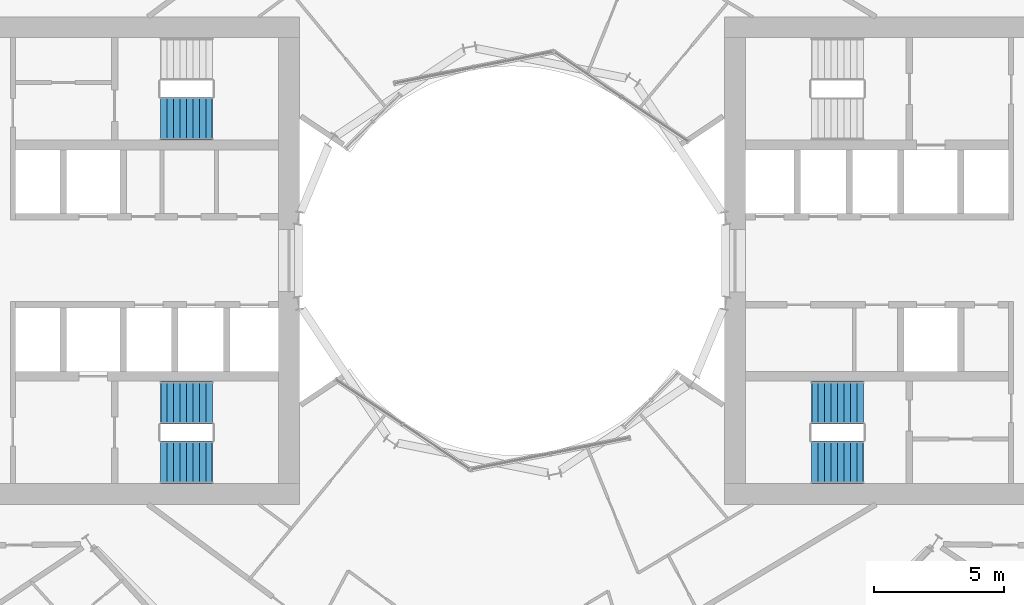
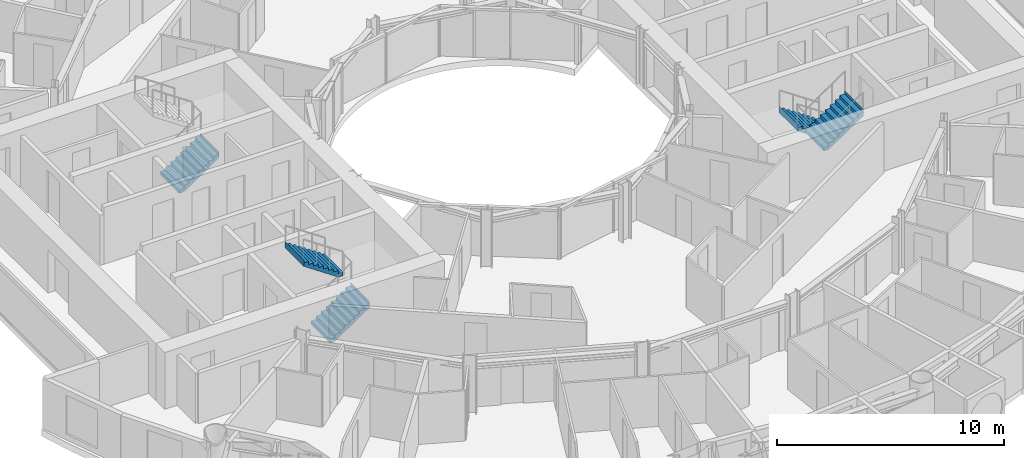
# One storey, part 23 of 26: 5 stair flights, 3 elements without a shape of their own.
"""IFC4 building model written with IfcOpenShell, lengths in metres."""

from ifc_helpers import new_model, si_unit, direction, frame, origin, place, context, subcontext, project, spatial, triangles, material, type_object, element, aggregate, save


model = new_model("IFC4")

# Units and contexts
model_context = context("Model", 3, precision=1e-05, world=origin(), true_north=direction((0.0, 1.0)))
body_context = subcontext(model_context, "Body", "Model", "MODEL_VIEW")
ifc_project = project(units=[si_unit("LENGTHUNIT", "METRE"), si_unit("AREAUNIT", "SQUARE_METRE"), si_unit("VOLUMEUNIT", "CUBIC_METRE"), si_unit("PLANEANGLEUNIT", "RADIAN"), si_unit("MASSUNIT", "GRAM", prefix="KILO")], contexts=[model_context])

# Site, building, storey
site_placement = place(None, origin())
site = spatial("IfcSite", under=ifc_project, at=site_placement, CompositionType="ELEMENT")
building_placement = place(site_placement, origin())
building = spatial("IfcBuilding", under=site, at=building_placement, Name="Maasbend Ring Residences", CompositionType="ELEMENT")
storey_placement = place(building_placement, frame((0.0, 0.0, 47.199951171875)))
storey = spatial("IfcBuildingStorey", under=building, at=storey_placement, Name="L13", CompositionType="ELEMENT", Elevation=47.199951171875)

# Stair, stair flights
ifc_material_1 = material(Name="Concrete C40/50", Category="concrete")
stair_type = type_object("IfcStairType", Name="CORE STAIR 18 RISERS", PredefinedType="HALF_TURN_STAIR", material=ifc_material_1)
stair_1_placement = place(storey_placement, origin())
stair_1 = element("IfcStair", 1, at=stair_1_placement, inside=storey, type_object=stair_type, Name="L13 Exit stair ST-E2", PredefinedType="HALF_TURN_STAIR")
ifc_material_2 = material(Name="Concrete C40/50", Category="concrete")
stair_flight_type = type_object("IfcStairFlightType", Name="CORE STAIR FLIGHT 1650", PredefinedType="STRAIGHT", material=ifc_material_2)
stair_flight_1_placement = place(storey_placement, frame((13.550048828125, -5.47509765625, 0.0), z_axis=(0.0, 0.0, 1.0), x_axis=(-1.0, 0.0, 0.0)))
stair_flight_1 = element("IfcStairFlight", 2, at=stair_flight_1_placement, type_object=stair_flight_type, Name="ST-E2 flight 1", NumberOfRisers=9, NumberOfTreads=8, PredefinedType="STRAIGHT", RiserHeight=0.169444444, TreadLength=0.25, context=body_context, shape_type="Tessellation", body=[
    triangles([(0.24072265625, 0.824951171875, -0.02001953125), (2.0029296875, 0.824951171875, 1.174560546875), (2.0029296875, 0.824951171875, 1.52490234375), (1.989990234375, 0.824951171875, 1.35546875), (1.75, 0.824951171875, 1.35546875), (1.75, 0.824951171875, 1.18603515625), (1.5, 0.824951171875, 1.18603515625), (1.5, 0.824951171875, 1.0166015625), (1.25, 0.824951171875, 1.0166015625), (1.25, 0.824951171875, 0.84716796875), (1.0, 0.824951171875, 0.84716796875), (1.0, 0.824951171875, 0.677734375), (0.75, 0.824951171875, 0.677734375), (0.75, 0.824951171875, 0.50830078125), (0.5, 0.824951171875, 0.50830078125), (0.5, 0.824951171875, 0.3388671875), (0.25, 0.824951171875, 0.3388671875), (0.25, 0.824951171875, 0.16943359375), (0.0, 0.824951171875, 0.16943359375), (0.0, 0.824951171875, 0.0), (-0.0029296875, 0.824951171875, 0.0), (-0.0029296875, 0.824951171875, -0.02001953125), (0.24072265625, 0.27490234375, -0.02001953125), (2.0029296875, 0.27490234375, 1.174560546875), (2.0029296875, 0.27490234375, 1.52490234375), (1.989990234375, 0.27490234375, 1.35546875), (1.75, 0.27490234375, 1.35546875), (1.75, 0.27490234375, 1.18603515625), (1.5, 0.27490234375, 1.18603515625), (1.5, 0.27490234375, 1.0166015625), (1.25, 0.27490234375, 1.0166015625), (1.25, 0.27490234375, 0.84716796875), (1.0, 0.27490234375, 0.84716796875), (1.0, 0.27490234375, 0.677734375), (0.75, 0.27490234375, 0.677734375), (0.75, 0.27490234375, 0.50830078125), (0.5, 0.27490234375, 0.50830078125), (0.5, 0.27490234375, 0.3388671875), (0.25, 0.27490234375, 0.3388671875), (0.25, 0.27490234375, 0.16943359375), (0.0, 0.27490234375, 0.16943359375), (0.0, 0.27490234375, 0.0), (-0.0029296875, 0.27490234375, 0.0), (-0.0029296875, 0.27490234375, -0.02001953125), (0.24072265625, -0.27490234375, -0.02001953125), (2.0029296875, -0.27490234375, 1.174560546875), (2.0029296875, -0.27490234375, 1.52490234375), (1.989990234375, -0.27490234375, 1.35546875), (1.75, -0.27490234375, 1.35546875), (1.75, -0.27490234375, 1.18603515625), (1.5, -0.27490234375, 1.18603515625), (1.5, -0.27490234375, 1.0166015625), (1.25, -0.27490234375, 1.0166015625), (1.25, -0.27490234375, 0.84716796875), (1.0, -0.27490234375, 0.84716796875), (1.0, -0.27490234375, 0.677734375), (0.75, -0.27490234375, 0.677734375), (0.75, -0.27490234375, 0.50830078125), (0.5, -0.27490234375, 0.50830078125), (0.5, -0.27490234375, 0.3388671875), (0.25, -0.27490234375, 0.3388671875), (0.25, -0.27490234375, 0.16943359375), (0.0, -0.27490234375, 0.16943359375), (0.0, -0.27490234375, 0.0), (-0.0029296875, -0.27490234375, 0.0), (-0.0029296875, -0.27490234375, -0.02001953125), (0.24072265625, -0.824951171875, -0.02001953125), (2.0029296875, -0.824951171875, 1.174560546875), (2.0029296875, -0.824951171875, 1.52490234375), (1.989990234375, -0.824951171875, 1.35546875), (1.75, -0.824951171875, 1.35546875), (1.75, -0.824951171875, 1.18603515625), (1.5, -0.824951171875, 1.18603515625), (1.5, -0.824951171875, 1.0166015625), (1.25, -0.824951171875, 1.0166015625), (1.25, -0.824951171875, 0.84716796875), (1.0, -0.824951171875, 0.84716796875), (1.0, -0.824951171875, 0.677734375), (0.75, -0.824951171875, 0.677734375), (0.75, -0.824951171875, 0.50830078125), (0.5, -0.824951171875, 0.50830078125), (0.5, -0.824951171875, 0.3388671875), (0.25, -0.824951171875, 0.3388671875), (0.25, -0.824951171875, 0.16943359375), (0.0, -0.824951171875, 0.16943359375), (0.0, -0.824951171875, 0.0), (-0.0029296875, -0.824951171875, 0.0), (-0.0029296875, -0.824951171875, -0.02001953125)], [[1, 2, 24], [1, 24, 23], [23, 24, 46], [23, 46, 45], [45, 46, 68], [45, 68, 67], [2, 3, 25], [2, 25, 24], [24, 25, 47], [24, 47, 46], [46, 47, 69], [46, 69, 68], [3, 4, 26], [3, 26, 25], [25, 26, 48], [25, 48, 47], [47, 48, 70], [47, 70, 69], [4, 5, 27], [4, 27, 26], [26, 27, 49], [26, 49, 48], [48, 49, 71], [48, 71, 70], [5, 6, 28], [5, 28, 27], [27, 28, 50], [27, 50, 49], [49, 50, 72], [49, 72, 71], [6, 7, 29], [6, 29, 28], [28, 29, 51], [28, 51, 50], [50, 51, 73], [50, 73, 72], [7, 8, 30], [7, 30, 29], [29, 30, 52], [29, 52, 51], [51, 52, 74], [51, 74, 73], [8, 9, 31], [8, 31, 30], [30, 31, 53], [30, 53, 52], [52, 53, 75], [52, 75, 74], [9, 10, 32], [9, 32, 31], [31, 32, 54], [31, 54, 53], [53, 54, 76], [53, 76, 75], [10, 11, 33], [10, 33, 32], [32, 33, 55], [32, 55, 54], [54, 55, 77], [54, 77, 76], [11, 12, 34], [11, 34, 33], [33, 34, 56], [33, 56, 55], [55, 56, 78], [55, 78, 77], [12, 13, 35], [12, 35, 34], [34, 35, 57], [34, 57, 56], [56, 57, 79], [56, 79, 78], [13, 14, 36], [13, 36, 35], [35, 36, 58], [35, 58, 57], [57, 58, 80], [57, 80, 79], [14, 15, 37], [14, 37, 36], [36, 37, 59], [36, 59, 58], [58, 59, 81], [58, 81, 80], [15, 16, 38], [15, 38, 37], [37, 38, 60], [37, 60, 59], [59, 60, 82], [59, 82, 81], [16, 17, 39], [16, 39, 38], [38, 39, 61], [38, 61, 60], [60, 61, 83], [60, 83, 82], [17, 18, 40], [17, 40, 39], [39, 40, 62], [39, 62, 61], [61, 62, 84], [61, 84, 83], [18, 19, 41], [18, 41, 40], [40, 41, 63], [40, 63, 62], [62, 63, 85], [62, 85, 84], [19, 20, 42], [19, 42, 41], [41, 42, 64], [41, 64, 63], [63, 64, 86], [63, 86, 85], [20, 21, 43], [20, 43, 42], [42, 43, 65], [42, 65, 64], [64, 65, 87], [64, 87, 86], [21, 22, 44], [21, 44, 43], [43, 44, 66], [43, 66, 65], [65, 66, 88], [65, 88, 87], [22, 1, 23], [22, 23, 44], [44, 23, 45], [44, 45, 66], [66, 45, 67], [66, 67, 88], [22, 2, 1], [2, 4, 3], [2, 5, 4], [2, 6, 5], [22, 6, 2], [6, 8, 7], [22, 8, 6], [8, 10, 9], [22, 10, 8], [10, 12, 11], [22, 12, 10], [12, 14, 13], [22, 14, 12], [14, 16, 15], [22, 16, 14], [16, 18, 17], [22, 18, 16], [18, 20, 19], [22, 20, 18], [20, 22, 21], [88, 67, 68], [68, 69, 70], [68, 70, 71], [68, 71, 72], [88, 68, 72], [72, 73, 74], [88, 72, 74], [74, 75, 76], [88, 74, 76], [76, 77, 78], [88, 76, 78], [78, 79, 80], [88, 78, 80], [80, 81, 82], [88, 80, 82], [82, 83, 84], [88, 82, 84], [84, 85, 86], [88, 84, 86], [86, 87, 88]], closed=True),
])
stair_flight_2_placement = place(storey_placement, frame((11.550048828125, -7.77490234375, 1.525146484375), z_axis=(0.0, 0.0, 1.0), x_axis=(1.0, 0.0, 0.0)))
stair_flight_2 = element("IfcStairFlight", 3, at=stair_flight_2_placement, type_object=stair_flight_type, Name="ST-E2 flight 2", NumberOfRisers=9, NumberOfTreads=8, PredefinedType="STRAIGHT", RiserHeight=0.169444444, TreadLength=0.25, context=body_context, shape_type="Tessellation", body=[
    triangles([(0.24072265625, 0.824951171875, -0.02001953125), (2.0029296875, 0.824951171875, 1.174560546875), (2.0029296875, 0.824951171875, 1.52490234375), (1.989990234375, 0.824951171875, 1.35546875), (1.75, 0.824951171875, 1.35546875), (1.75, 0.824951171875, 1.18603515625), (1.5, 0.824951171875, 1.18603515625), (1.5, 0.824951171875, 1.0166015625), (1.25, 0.824951171875, 1.0166015625), (1.25, 0.824951171875, 0.84716796875), (1.0, 0.824951171875, 0.84716796875), (1.0, 0.824951171875, 0.677734375), (0.75, 0.824951171875, 0.677734375), (0.75, 0.824951171875, 0.50830078125), (0.5, 0.824951171875, 0.50830078125), (0.5, 0.824951171875, 0.3388671875), (0.25, 0.824951171875, 0.3388671875), (0.25, 0.824951171875, 0.16943359375), (0.0, 0.824951171875, 0.16943359375), (0.0, 0.824951171875, 0.0), (-0.0029296875, 0.824951171875, 0.0), (-0.0029296875, 0.824951171875, -0.02001953125), (0.24072265625, 0.27490234375, -0.02001953125), (2.0029296875, 0.27490234375, 1.174560546875), (2.0029296875, 0.27490234375, 1.52490234375), (1.989990234375, 0.27490234375, 1.35546875), (1.75, 0.27490234375, 1.35546875), (1.75, 0.27490234375, 1.18603515625), (1.5, 0.27490234375, 1.18603515625), (1.5, 0.27490234375, 1.0166015625), (1.25, 0.27490234375, 1.0166015625), (1.25, 0.27490234375, 0.84716796875), (1.0, 0.27490234375, 0.84716796875), (1.0, 0.27490234375, 0.677734375), (0.75, 0.27490234375, 0.677734375), (0.75, 0.27490234375, 0.50830078125), (0.5, 0.27490234375, 0.50830078125), (0.5, 0.27490234375, 0.3388671875), (0.25, 0.27490234375, 0.3388671875), (0.25, 0.27490234375, 0.16943359375), (0.0, 0.27490234375, 0.16943359375), (0.0, 0.27490234375, 0.0), (-0.0029296875, 0.27490234375, 0.0), (-0.0029296875, 0.27490234375, -0.02001953125), (0.24072265625, -0.27490234375, -0.02001953125), (2.0029296875, -0.27490234375, 1.174560546875), (2.0029296875, -0.27490234375, 1.52490234375), (1.989990234375, -0.27490234375, 1.35546875), (1.75, -0.27490234375, 1.35546875), (1.75, -0.27490234375, 1.18603515625), (1.5, -0.27490234375, 1.18603515625), (1.5, -0.27490234375, 1.0166015625), (1.25, -0.27490234375, 1.0166015625), (1.25, -0.27490234375, 0.84716796875), (1.0, -0.27490234375, 0.84716796875), (1.0, -0.27490234375, 0.677734375), (0.75, -0.27490234375, 0.677734375), (0.75, -0.27490234375, 0.50830078125), (0.5, -0.27490234375, 0.50830078125), (0.5, -0.27490234375, 0.3388671875), (0.25, -0.27490234375, 0.3388671875), (0.25, -0.27490234375, 0.16943359375), (0.0, -0.27490234375, 0.16943359375), (0.0, -0.27490234375, 0.0), (-0.0029296875, -0.27490234375, 0.0), (-0.0029296875, -0.27490234375, -0.02001953125), (0.24072265625, -0.824951171875, -0.02001953125), (2.0029296875, -0.824951171875, 1.174560546875), (2.0029296875, -0.824951171875, 1.52490234375), (1.989990234375, -0.824951171875, 1.35546875), (1.75, -0.824951171875, 1.35546875), (1.75, -0.824951171875, 1.18603515625), (1.5, -0.824951171875, 1.18603515625), (1.5, -0.824951171875, 1.0166015625), (1.25, -0.824951171875, 1.0166015625), (1.25, -0.824951171875, 0.84716796875), (1.0, -0.824951171875, 0.84716796875), (1.0, -0.824951171875, 0.677734375), (0.75, -0.824951171875, 0.677734375), (0.75, -0.824951171875, 0.50830078125), (0.5, -0.824951171875, 0.50830078125), (0.5, -0.824951171875, 0.3388671875), (0.25, -0.824951171875, 0.3388671875), (0.25, -0.824951171875, 0.16943359375), (0.0, -0.824951171875, 0.16943359375), (0.0, -0.824951171875, 0.0), (-0.0029296875, -0.824951171875, 0.0), (-0.0029296875, -0.824951171875, -0.02001953125)], [[1, 2, 24], [1, 24, 23], [23, 24, 46], [23, 46, 45], [45, 46, 68], [45, 68, 67], [2, 3, 25], [2, 25, 24], [24, 25, 47], [24, 47, 46], [46, 47, 69], [46, 69, 68], [3, 4, 26], [3, 26, 25], [25, 26, 48], [25, 48, 47], [47, 48, 70], [47, 70, 69], [4, 5, 27], [4, 27, 26], [26, 27, 49], [26, 49, 48], [48, 49, 71], [48, 71, 70], [5, 6, 28], [5, 28, 27], [27, 28, 50], [27, 50, 49], [49, 50, 72], [49, 72, 71], [6, 7, 29], [6, 29, 28], [28, 29, 51], [28, 51, 50], [50, 51, 73], [50, 73, 72], [7, 8, 30], [7, 30, 29], [29, 30, 52], [29, 52, 51], [51, 52, 74], [51, 74, 73], [8, 9, 31], [8, 31, 30], [30, 31, 53], [30, 53, 52], [52, 53, 75], [52, 75, 74], [9, 10, 32], [9, 32, 31], [31, 32, 54], [31, 54, 53], [53, 54, 76], [53, 76, 75], [10, 11, 33], [10, 33, 32], [32, 33, 55], [32, 55, 54], [54, 55, 77], [54, 77, 76], [11, 12, 34], [11, 34, 33], [33, 34, 56], [33, 56, 55], [55, 56, 78], [55, 78, 77], [12, 13, 35], [12, 35, 34], [34, 35, 57], [34, 57, 56], [56, 57, 79], [56, 79, 78], [13, 14, 36], [13, 36, 35], [35, 36, 58], [35, 58, 57], [57, 58, 80], [57, 80, 79], [14, 15, 37], [14, 37, 36], [36, 37, 59], [36, 59, 58], [58, 59, 81], [58, 81, 80], [15, 16, 38], [15, 38, 37], [37, 38, 60], [37, 60, 59], [59, 60, 82], [59, 82, 81], [16, 17, 39], [16, 39, 38], [38, 39, 61], [38, 61, 60], [60, 61, 83], [60, 83, 82], [17, 18, 40], [17, 40, 39], [39, 40, 62], [39, 62, 61], [61, 62, 84], [61, 84, 83], [18, 19, 41], [18, 41, 40], [40, 41, 63], [40, 63, 62], [62, 63, 85], [62, 85, 84], [19, 20, 42], [19, 42, 41], [41, 42, 64], [41, 64, 63], [63, 64, 86], [63, 86, 85], [20, 21, 43], [20, 43, 42], [42, 43, 65], [42, 65, 64], [64, 65, 87], [64, 87, 86], [21, 22, 44], [21, 44, 43], [43, 44, 66], [43, 66, 65], [65, 66, 88], [65, 88, 87], [22, 1, 23], [22, 23, 44], [44, 23, 45], [44, 45, 66], [66, 45, 67], [66, 67, 88], [22, 2, 1], [2, 4, 3], [2, 5, 4], [2, 6, 5], [22, 6, 2], [6, 8, 7], [22, 8, 6], [8, 10, 9], [22, 10, 8], [10, 12, 11], [22, 12, 10], [12, 14, 13], [22, 14, 12], [14, 16, 15], [22, 16, 14], [16, 18, 17], [22, 18, 16], [18, 20, 19], [22, 20, 18], [20, 22, 21], [88, 67, 68], [68, 69, 70], [68, 70, 71], [68, 71, 72], [88, 68, 72], [72, 73, 74], [88, 72, 74], [74, 75, 76], [88, 74, 76], [76, 77, 78], [88, 76, 78], [78, 79, 80], [88, 78, 80], [80, 81, 82], [88, 80, 82], [82, 83, 84], [88, 82, 84], [84, 85, 86], [88, 84, 86], [86, 87, 88]], closed=True),
])
aggregate(stair_1, [stair_flight_1, stair_flight_2])

stair_2_placement = place(storey_placement, origin())
stair_2 = element("IfcStair", 4, at=stair_2_placement, inside=storey, type_object=stair_type, Name="L13 Exit stair ST-W1", PredefinedType="HALF_TURN_STAIR")
stair_flight_3_placement = place(storey_placement, frame((-13.550048828125, -7.77490234375, 0.0), z_axis=(0.0, 0.0, 1.0), x_axis=(1.0, 0.0, 0.0)))
stair_flight_3 = element("IfcStairFlight", 5, at=stair_flight_3_placement, type_object=stair_flight_type, Name="ST-W1 flight 1", NumberOfRisers=9, NumberOfTreads=8, PredefinedType="STRAIGHT", RiserHeight=0.169444444, TreadLength=0.25, context=body_context, shape_type="Tessellation", body=[
    triangles([(0.24072265625, 0.824951171875, -0.02001953125), (2.0029296875, 0.824951171875, 1.174560546875), (2.0029296875, 0.824951171875, 1.52490234375), (1.989990234375, 0.824951171875, 1.35546875), (1.75, 0.824951171875, 1.35546875), (1.75, 0.824951171875, 1.18603515625), (1.5, 0.824951171875, 1.18603515625), (1.5, 0.824951171875, 1.0166015625), (1.25, 0.824951171875, 1.0166015625), (1.25, 0.824951171875, 0.84716796875), (1.0, 0.824951171875, 0.84716796875), (1.0, 0.824951171875, 0.677734375), (0.75, 0.824951171875, 0.677734375), (0.75, 0.824951171875, 0.50830078125), (0.5, 0.824951171875, 0.50830078125), (0.5, 0.824951171875, 0.3388671875), (0.25, 0.824951171875, 0.3388671875), (0.25, 0.824951171875, 0.16943359375), (0.0, 0.824951171875, 0.16943359375), (0.0, 0.824951171875, 0.0), (-0.0029296875, 0.824951171875, 0.0), (-0.0029296875, 0.824951171875, -0.02001953125), (0.24072265625, 0.27490234375, -0.02001953125), (2.0029296875, 0.27490234375, 1.174560546875), (2.0029296875, 0.27490234375, 1.52490234375), (1.989990234375, 0.27490234375, 1.35546875), (1.75, 0.27490234375, 1.35546875), (1.75, 0.27490234375, 1.18603515625), (1.5, 0.27490234375, 1.18603515625), (1.5, 0.27490234375, 1.0166015625), (1.25, 0.27490234375, 1.0166015625), (1.25, 0.27490234375, 0.84716796875), (1.0, 0.27490234375, 0.84716796875), (1.0, 0.27490234375, 0.677734375), (0.75, 0.27490234375, 0.677734375), (0.75, 0.27490234375, 0.50830078125), (0.5, 0.27490234375, 0.50830078125), (0.5, 0.27490234375, 0.3388671875), (0.25, 0.27490234375, 0.3388671875), (0.25, 0.27490234375, 0.16943359375), (0.0, 0.27490234375, 0.16943359375), (0.0, 0.27490234375, 0.0), (-0.0029296875, 0.27490234375, 0.0), (-0.0029296875, 0.27490234375, -0.02001953125), (0.24072265625, -0.27490234375, -0.02001953125), (2.0029296875, -0.27490234375, 1.174560546875), (2.0029296875, -0.27490234375, 1.52490234375), (1.989990234375, -0.27490234375, 1.35546875), (1.75, -0.27490234375, 1.35546875), (1.75, -0.27490234375, 1.18603515625), (1.5, -0.27490234375, 1.18603515625), (1.5, -0.27490234375, 1.0166015625), (1.25, -0.27490234375, 1.0166015625), (1.25, -0.27490234375, 0.84716796875), (1.0, -0.27490234375, 0.84716796875), (1.0, -0.27490234375, 0.677734375), (0.75, -0.27490234375, 0.677734375), (0.75, -0.27490234375, 0.50830078125), (0.5, -0.27490234375, 0.50830078125), (0.5, -0.27490234375, 0.3388671875), (0.25, -0.27490234375, 0.3388671875), (0.25, -0.27490234375, 0.16943359375), (0.0, -0.27490234375, 0.16943359375), (0.0, -0.27490234375, 0.0), (-0.0029296875, -0.27490234375, 0.0), (-0.0029296875, -0.27490234375, -0.02001953125), (0.24072265625, -0.824951171875, -0.02001953125), (2.0029296875, -0.824951171875, 1.174560546875), (2.0029296875, -0.824951171875, 1.52490234375), (1.989990234375, -0.824951171875, 1.35546875), (1.75, -0.824951171875, 1.35546875), (1.75, -0.824951171875, 1.18603515625), (1.5, -0.824951171875, 1.18603515625), (1.5, -0.824951171875, 1.0166015625), (1.25, -0.824951171875, 1.0166015625), (1.25, -0.824951171875, 0.84716796875), (1.0, -0.824951171875, 0.84716796875), (1.0, -0.824951171875, 0.677734375), (0.75, -0.824951171875, 0.677734375), (0.75, -0.824951171875, 0.50830078125), (0.5, -0.824951171875, 0.50830078125), (0.5, -0.824951171875, 0.3388671875), (0.25, -0.824951171875, 0.3388671875), (0.25, -0.824951171875, 0.16943359375), (0.0, -0.824951171875, 0.16943359375), (0.0, -0.824951171875, 0.0), (-0.0029296875, -0.824951171875, 0.0), (-0.0029296875, -0.824951171875, -0.02001953125)], [[1, 2, 24], [1, 24, 23], [23, 24, 46], [23, 46, 45], [45, 46, 68], [45, 68, 67], [2, 3, 25], [2, 25, 24], [24, 25, 47], [24, 47, 46], [46, 47, 69], [46, 69, 68], [3, 4, 26], [3, 26, 25], [25, 26, 48], [25, 48, 47], [47, 48, 70], [47, 70, 69], [4, 5, 27], [4, 27, 26], [26, 27, 49], [26, 49, 48], [48, 49, 71], [48, 71, 70], [5, 6, 28], [5, 28, 27], [27, 28, 50], [27, 50, 49], [49, 50, 72], [49, 72, 71], [6, 7, 29], [6, 29, 28], [28, 29, 51], [28, 51, 50], [50, 51, 73], [50, 73, 72], [7, 8, 30], [7, 30, 29], [29, 30, 52], [29, 52, 51], [51, 52, 74], [51, 74, 73], [8, 9, 31], [8, 31, 30], [30, 31, 53], [30, 53, 52], [52, 53, 75], [52, 75, 74], [9, 10, 32], [9, 32, 31], [31, 32, 54], [31, 54, 53], [53, 54, 76], [53, 76, 75], [10, 11, 33], [10, 33, 32], [32, 33, 55], [32, 55, 54], [54, 55, 77], [54, 77, 76], [11, 12, 34], [11, 34, 33], [33, 34, 56], [33, 56, 55], [55, 56, 78], [55, 78, 77], [12, 13, 35], [12, 35, 34], [34, 35, 57], [34, 57, 56], [56, 57, 79], [56, 79, 78], [13, 14, 36], [13, 36, 35], [35, 36, 58], [35, 58, 57], [57, 58, 80], [57, 80, 79], [14, 15, 37], [14, 37, 36], [36, 37, 59], [36, 59, 58], [58, 59, 81], [58, 81, 80], [15, 16, 38], [15, 38, 37], [37, 38, 60], [37, 60, 59], [59, 60, 82], [59, 82, 81], [16, 17, 39], [16, 39, 38], [38, 39, 61], [38, 61, 60], [60, 61, 83], [60, 83, 82], [17, 18, 40], [17, 40, 39], [39, 40, 62], [39, 62, 61], [61, 62, 84], [61, 84, 83], [18, 19, 41], [18, 41, 40], [40, 41, 63], [40, 63, 62], [62, 63, 85], [62, 85, 84], [19, 20, 42], [19, 42, 41], [41, 42, 64], [41, 64, 63], [63, 64, 86], [63, 86, 85], [20, 21, 43], [20, 43, 42], [42, 43, 65], [42, 65, 64], [64, 65, 87], [64, 87, 86], [21, 22, 44], [21, 44, 43], [43, 44, 66], [43, 66, 65], [65, 66, 88], [65, 88, 87], [22, 1, 23], [22, 23, 44], [44, 23, 45], [44, 45, 66], [66, 45, 67], [66, 67, 88], [22, 2, 1], [2, 4, 3], [2, 5, 4], [2, 6, 5], [22, 6, 2], [6, 8, 7], [22, 8, 6], [8, 10, 9], [22, 10, 8], [10, 12, 11], [22, 12, 10], [12, 14, 13], [22, 14, 12], [14, 16, 15], [22, 16, 14], [16, 18, 17], [22, 18, 16], [18, 20, 19], [22, 20, 18], [20, 22, 21], [88, 67, 68], [68, 69, 70], [68, 70, 71], [68, 71, 72], [88, 68, 72], [72, 73, 74], [88, 72, 74], [74, 75, 76], [88, 74, 76], [76, 77, 78], [88, 76, 78], [78, 79, 80], [88, 78, 80], [80, 81, 82], [88, 80, 82], [82, 83, 84], [88, 82, 84], [84, 85, 86], [88, 84, 86], [86, 87, 88]], closed=True),
])
stair_flight_4_placement = place(storey_placement, frame((-11.550048828125, -5.47509765625, 1.525146484375), z_axis=(0.0, 0.0, 1.0), x_axis=(-1.0, 0.0, 0.0)))
stair_flight_4 = element("IfcStairFlight", 6, at=stair_flight_4_placement, type_object=stair_flight_type, Name="ST-W1 flight 2", NumberOfRisers=9, NumberOfTreads=8, PredefinedType="STRAIGHT", RiserHeight=0.169444444, TreadLength=0.25, context=body_context, shape_type="Tessellation", body=[
    triangles([(0.24072265625, 0.824951171875, -0.02001953125), (2.0029296875, 0.824951171875, 1.174560546875), (2.0029296875, 0.824951171875, 1.52490234375), (1.989990234375, 0.824951171875, 1.35546875), (1.75, 0.824951171875, 1.35546875), (1.75, 0.824951171875, 1.18603515625), (1.5, 0.824951171875, 1.18603515625), (1.5, 0.824951171875, 1.0166015625), (1.25, 0.824951171875, 1.0166015625), (1.25, 0.824951171875, 0.84716796875), (1.0, 0.824951171875, 0.84716796875), (1.0, 0.824951171875, 0.677734375), (0.75, 0.824951171875, 0.677734375), (0.75, 0.824951171875, 0.50830078125), (0.5, 0.824951171875, 0.50830078125), (0.5, 0.824951171875, 0.3388671875), (0.25, 0.824951171875, 0.3388671875), (0.25, 0.824951171875, 0.16943359375), (0.0, 0.824951171875, 0.16943359375), (0.0, 0.824951171875, 0.0), (-0.0029296875, 0.824951171875, 0.0), (-0.0029296875, 0.824951171875, -0.02001953125), (0.24072265625, 0.27490234375, -0.02001953125), (2.0029296875, 0.27490234375, 1.174560546875), (2.0029296875, 0.27490234375, 1.52490234375), (1.989990234375, 0.27490234375, 1.35546875), (1.75, 0.27490234375, 1.35546875), (1.75, 0.27490234375, 1.18603515625), (1.5, 0.27490234375, 1.18603515625), (1.5, 0.27490234375, 1.0166015625), (1.25, 0.27490234375, 1.0166015625), (1.25, 0.27490234375, 0.84716796875), (1.0, 0.27490234375, 0.84716796875), (1.0, 0.27490234375, 0.677734375), (0.75, 0.27490234375, 0.677734375), (0.75, 0.27490234375, 0.50830078125), (0.5, 0.27490234375, 0.50830078125), (0.5, 0.27490234375, 0.3388671875), (0.25, 0.27490234375, 0.3388671875), (0.25, 0.27490234375, 0.16943359375), (0.0, 0.27490234375, 0.16943359375), (0.0, 0.27490234375, 0.0), (-0.0029296875, 0.27490234375, 0.0), (-0.0029296875, 0.27490234375, -0.02001953125), (0.24072265625, -0.27490234375, -0.02001953125), (2.0029296875, -0.27490234375, 1.174560546875), (2.0029296875, -0.27490234375, 1.52490234375), (1.989990234375, -0.27490234375, 1.35546875), (1.75, -0.27490234375, 1.35546875), (1.75, -0.27490234375, 1.18603515625), (1.5, -0.27490234375, 1.18603515625), (1.5, -0.27490234375, 1.0166015625), (1.25, -0.27490234375, 1.0166015625), (1.25, -0.27490234375, 0.84716796875), (1.0, -0.27490234375, 0.84716796875), (1.0, -0.27490234375, 0.677734375), (0.75, -0.27490234375, 0.677734375), (0.75, -0.27490234375, 0.50830078125), (0.5, -0.27490234375, 0.50830078125), (0.5, -0.27490234375, 0.3388671875), (0.25, -0.27490234375, 0.3388671875), (0.25, -0.27490234375, 0.16943359375), (0.0, -0.27490234375, 0.16943359375), (0.0, -0.27490234375, 0.0), (-0.0029296875, -0.27490234375, 0.0), (-0.0029296875, -0.27490234375, -0.02001953125), (0.24072265625, -0.824951171875, -0.02001953125), (2.0029296875, -0.824951171875, 1.174560546875), (2.0029296875, -0.824951171875, 1.52490234375), (1.989990234375, -0.824951171875, 1.35546875), (1.75, -0.824951171875, 1.35546875), (1.75, -0.824951171875, 1.18603515625), (1.5, -0.824951171875, 1.18603515625), (1.5, -0.824951171875, 1.0166015625), (1.25, -0.824951171875, 1.0166015625), (1.25, -0.824951171875, 0.84716796875), (1.0, -0.824951171875, 0.84716796875), (1.0, -0.824951171875, 0.677734375), (0.75, -0.824951171875, 0.677734375), (0.75, -0.824951171875, 0.50830078125), (0.5, -0.824951171875, 0.50830078125), (0.5, -0.824951171875, 0.3388671875), (0.25, -0.824951171875, 0.3388671875), (0.25, -0.824951171875, 0.16943359375), (0.0, -0.824951171875, 0.16943359375), (0.0, -0.824951171875, 0.0), (-0.0029296875, -0.824951171875, 0.0), (-0.0029296875, -0.824951171875, -0.02001953125)], [[1, 2, 24], [1, 24, 23], [23, 24, 46], [23, 46, 45], [45, 46, 68], [45, 68, 67], [2, 3, 25], [2, 25, 24], [24, 25, 47], [24, 47, 46], [46, 47, 69], [46, 69, 68], [3, 4, 26], [3, 26, 25], [25, 26, 48], [25, 48, 47], [47, 48, 70], [47, 70, 69], [4, 5, 27], [4, 27, 26], [26, 27, 49], [26, 49, 48], [48, 49, 71], [48, 71, 70], [5, 6, 28], [5, 28, 27], [27, 28, 50], [27, 50, 49], [49, 50, 72], [49, 72, 71], [6, 7, 29], [6, 29, 28], [28, 29, 51], [28, 51, 50], [50, 51, 73], [50, 73, 72], [7, 8, 30], [7, 30, 29], [29, 30, 52], [29, 52, 51], [51, 52, 74], [51, 74, 73], [8, 9, 31], [8, 31, 30], [30, 31, 53], [30, 53, 52], [52, 53, 75], [52, 75, 74], [9, 10, 32], [9, 32, 31], [31, 32, 54], [31, 54, 53], [53, 54, 76], [53, 76, 75], [10, 11, 33], [10, 33, 32], [32, 33, 55], [32, 55, 54], [54, 55, 77], [54, 77, 76], [11, 12, 34], [11, 34, 33], [33, 34, 56], [33, 56, 55], [55, 56, 78], [55, 78, 77], [12, 13, 35], [12, 35, 34], [34, 35, 57], [34, 57, 56], [56, 57, 79], [56, 79, 78], [13, 14, 36], [13, 36, 35], [35, 36, 58], [35, 58, 57], [57, 58, 80], [57, 80, 79], [14, 15, 37], [14, 37, 36], [36, 37, 59], [36, 59, 58], [58, 59, 81], [58, 81, 80], [15, 16, 38], [15, 38, 37], [37, 38, 60], [37, 60, 59], [59, 60, 82], [59, 82, 81], [16, 17, 39], [16, 39, 38], [38, 39, 61], [38, 61, 60], [60, 61, 83], [60, 83, 82], [17, 18, 40], [17, 40, 39], [39, 40, 62], [39, 62, 61], [61, 62, 84], [61, 84, 83], [18, 19, 41], [18, 41, 40], [40, 41, 63], [40, 63, 62], [62, 63, 85], [62, 85, 84], [19, 20, 42], [19, 42, 41], [41, 42, 64], [41, 64, 63], [63, 64, 86], [63, 86, 85], [20, 21, 43], [20, 43, 42], [42, 43, 65], [42, 65, 64], [64, 65, 87], [64, 87, 86], [21, 22, 44], [21, 44, 43], [43, 44, 66], [43, 66, 65], [65, 66, 88], [65, 88, 87], [22, 1, 23], [22, 23, 44], [44, 23, 45], [44, 45, 66], [66, 45, 67], [66, 67, 88], [22, 2, 1], [2, 4, 3], [2, 5, 4], [2, 6, 5], [22, 6, 2], [6, 8, 7], [22, 8, 6], [8, 10, 9], [22, 10, 8], [10, 12, 11], [22, 12, 10], [12, 14, 13], [22, 14, 12], [14, 16, 15], [22, 16, 14], [16, 18, 17], [22, 18, 16], [18, 20, 19], [22, 20, 18], [20, 22, 21], [88, 67, 68], [68, 69, 70], [68, 70, 71], [68, 71, 72], [88, 68, 72], [72, 73, 74], [88, 72, 74], [74, 75, 76], [88, 74, 76], [76, 77, 78], [88, 76, 78], [78, 79, 80], [88, 78, 80], [80, 81, 82], [88, 80, 82], [82, 83, 84], [88, 82, 84], [84, 85, 86], [88, 84, 86], [86, 87, 88]], closed=True),
])
aggregate(stair_2, [stair_flight_3, stair_flight_4])

# Stair, stair flight
stair_3_placement = place(storey_placement, origin())
stair_3 = element("IfcStair", 7, at=stair_3_placement, inside=storey, type_object=stair_type, Name="L13 Exit stair ST-W2", PredefinedType="HALF_TURN_STAIR")
stair_flight_5_placement = place(storey_placement, frame((-13.550048828125, 5.47509765625, 0.0), z_axis=(0.0, 0.0, 1.0), x_axis=(1.0, 0.0, 0.0)))
stair_flight_5 = element("IfcStairFlight", 8, at=stair_flight_5_placement, type_object=stair_flight_type, Name="ST-W2 flight 1", NumberOfRisers=9, NumberOfTreads=8, PredefinedType="STRAIGHT", RiserHeight=0.169444444, TreadLength=0.25, context=body_context, shape_type="Tessellation", body=[
    triangles([(0.24072265625, 0.824951171875, -0.02001953125), (2.0029296875, 0.824951171875, 1.174560546875), (2.0029296875, 0.824951171875, 1.52490234375), (1.989990234375, 0.824951171875, 1.35546875), (1.75, 0.824951171875, 1.35546875), (1.75, 0.824951171875, 1.18603515625), (1.5, 0.824951171875, 1.18603515625), (1.5, 0.824951171875, 1.0166015625), (1.25, 0.824951171875, 1.0166015625), (1.25, 0.824951171875, 0.84716796875), (1.0, 0.824951171875, 0.84716796875), (1.0, 0.824951171875, 0.677734375), (0.75, 0.824951171875, 0.677734375), (0.75, 0.824951171875, 0.50830078125), (0.5, 0.824951171875, 0.50830078125), (0.5, 0.824951171875, 0.3388671875), (0.25, 0.824951171875, 0.3388671875), (0.25, 0.824951171875, 0.16943359375), (0.0, 0.824951171875, 0.16943359375), (0.0, 0.824951171875, 0.0), (-0.0029296875, 0.824951171875, 0.0), (-0.0029296875, 0.824951171875, -0.02001953125), (0.24072265625, 0.27490234375, -0.02001953125), (2.0029296875, 0.27490234375, 1.174560546875), (2.0029296875, 0.27490234375, 1.52490234375), (1.989990234375, 0.27490234375, 1.35546875), (1.75, 0.27490234375, 1.35546875), (1.75, 0.27490234375, 1.18603515625), (1.5, 0.27490234375, 1.18603515625), (1.5, 0.27490234375, 1.0166015625), (1.25, 0.27490234375, 1.0166015625), (1.25, 0.27490234375, 0.84716796875), (1.0, 0.27490234375, 0.84716796875), (1.0, 0.27490234375, 0.677734375), (0.75, 0.27490234375, 0.677734375), (0.75, 0.27490234375, 0.50830078125), (0.5, 0.27490234375, 0.50830078125), (0.5, 0.27490234375, 0.3388671875), (0.25, 0.27490234375, 0.3388671875), (0.25, 0.27490234375, 0.16943359375), (0.0, 0.27490234375, 0.16943359375), (0.0, 0.27490234375, 0.0), (-0.0029296875, 0.27490234375, 0.0), (-0.0029296875, 0.27490234375, -0.02001953125), (0.24072265625, -0.27490234375, -0.02001953125), (2.0029296875, -0.27490234375, 1.174560546875), (2.0029296875, -0.27490234375, 1.52490234375), (1.989990234375, -0.27490234375, 1.35546875), (1.75, -0.27490234375, 1.35546875), (1.75, -0.27490234375, 1.18603515625), (1.5, -0.27490234375, 1.18603515625), (1.5, -0.27490234375, 1.0166015625), (1.25, -0.27490234375, 1.0166015625), (1.25, -0.27490234375, 0.84716796875), (1.0, -0.27490234375, 0.84716796875), (1.0, -0.27490234375, 0.677734375), (0.75, -0.27490234375, 0.677734375), (0.75, -0.27490234375, 0.50830078125), (0.5, -0.27490234375, 0.50830078125), (0.5, -0.27490234375, 0.3388671875), (0.25, -0.27490234375, 0.3388671875), (0.25, -0.27490234375, 0.16943359375), (0.0, -0.27490234375, 0.16943359375), (0.0, -0.27490234375, 0.0), (-0.0029296875, -0.27490234375, 0.0), (-0.0029296875, -0.27490234375, -0.02001953125), (0.24072265625, -0.824951171875, -0.02001953125), (2.0029296875, -0.824951171875, 1.174560546875), (2.0029296875, -0.824951171875, 1.52490234375), (1.989990234375, -0.824951171875, 1.35546875), (1.75, -0.824951171875, 1.35546875), (1.75, -0.824951171875, 1.18603515625), (1.5, -0.824951171875, 1.18603515625), (1.5, -0.824951171875, 1.0166015625), (1.25, -0.824951171875, 1.0166015625), (1.25, -0.824951171875, 0.84716796875), (1.0, -0.824951171875, 0.84716796875), (1.0, -0.824951171875, 0.677734375), (0.75, -0.824951171875, 0.677734375), (0.75, -0.824951171875, 0.50830078125), (0.5, -0.824951171875, 0.50830078125), (0.5, -0.824951171875, 0.3388671875), (0.25, -0.824951171875, 0.3388671875), (0.25, -0.824951171875, 0.16943359375), (0.0, -0.824951171875, 0.16943359375), (0.0, -0.824951171875, 0.0), (-0.0029296875, -0.824951171875, 0.0), (-0.0029296875, -0.824951171875, -0.02001953125)], [[1, 2, 24], [1, 24, 23], [23, 24, 46], [23, 46, 45], [45, 46, 68], [45, 68, 67], [2, 3, 25], [2, 25, 24], [24, 25, 47], [24, 47, 46], [46, 47, 69], [46, 69, 68], [3, 4, 26], [3, 26, 25], [25, 26, 48], [25, 48, 47], [47, 48, 70], [47, 70, 69], [4, 5, 27], [4, 27, 26], [26, 27, 49], [26, 49, 48], [48, 49, 71], [48, 71, 70], [5, 6, 28], [5, 28, 27], [27, 28, 50], [27, 50, 49], [49, 50, 72], [49, 72, 71], [6, 7, 29], [6, 29, 28], [28, 29, 51], [28, 51, 50], [50, 51, 73], [50, 73, 72], [7, 8, 30], [7, 30, 29], [29, 30, 52], [29, 52, 51], [51, 52, 74], [51, 74, 73], [8, 9, 31], [8, 31, 30], [30, 31, 53], [30, 53, 52], [52, 53, 75], [52, 75, 74], [9, 10, 32], [9, 32, 31], [31, 32, 54], [31, 54, 53], [53, 54, 76], [53, 76, 75], [10, 11, 33], [10, 33, 32], [32, 33, 55], [32, 55, 54], [54, 55, 77], [54, 77, 76], [11, 12, 34], [11, 34, 33], [33, 34, 56], [33, 56, 55], [55, 56, 78], [55, 78, 77], [12, 13, 35], [12, 35, 34], [34, 35, 57], [34, 57, 56], [56, 57, 79], [56, 79, 78], [13, 14, 36], [13, 36, 35], [35, 36, 58], [35, 58, 57], [57, 58, 80], [57, 80, 79], [14, 15, 37], [14, 37, 36], [36, 37, 59], [36, 59, 58], [58, 59, 81], [58, 81, 80], [15, 16, 38], [15, 38, 37], [37, 38, 60], [37, 60, 59], [59, 60, 82], [59, 82, 81], [16, 17, 39], [16, 39, 38], [38, 39, 61], [38, 61, 60], [60, 61, 83], [60, 83, 82], [17, 18, 40], [17, 40, 39], [39, 40, 62], [39, 62, 61], [61, 62, 84], [61, 84, 83], [18, 19, 41], [18, 41, 40], [40, 41, 63], [40, 63, 62], [62, 63, 85], [62, 85, 84], [19, 20, 42], [19, 42, 41], [41, 42, 64], [41, 64, 63], [63, 64, 86], [63, 86, 85], [20, 21, 43], [20, 43, 42], [42, 43, 65], [42, 65, 64], [64, 65, 87], [64, 87, 86], [21, 22, 44], [21, 44, 43], [43, 44, 66], [43, 66, 65], [65, 66, 88], [65, 88, 87], [22, 1, 23], [22, 23, 44], [44, 23, 45], [44, 45, 66], [66, 45, 67], [66, 67, 88], [22, 2, 1], [2, 4, 3], [2, 5, 4], [2, 6, 5], [22, 6, 2], [6, 8, 7], [22, 8, 6], [8, 10, 9], [22, 10, 8], [10, 12, 11], [22, 12, 10], [12, 14, 13], [22, 14, 12], [14, 16, 15], [22, 16, 14], [16, 18, 17], [22, 18, 16], [18, 20, 19], [22, 20, 18], [20, 22, 21], [88, 67, 68], [68, 69, 70], [68, 70, 71], [68, 71, 72], [88, 68, 72], [72, 73, 74], [88, 72, 74], [74, 75, 76], [88, 74, 76], [76, 77, 78], [88, 76, 78], [78, 79, 80], [88, 78, 80], [80, 81, 82], [88, 80, 82], [82, 83, 84], [88, 82, 84], [84, 85, 86], [88, 84, 86], [86, 87, 88]], closed=True),
])
aggregate(stair_3, [stair_flight_5])

save(model, "model.ifc")
